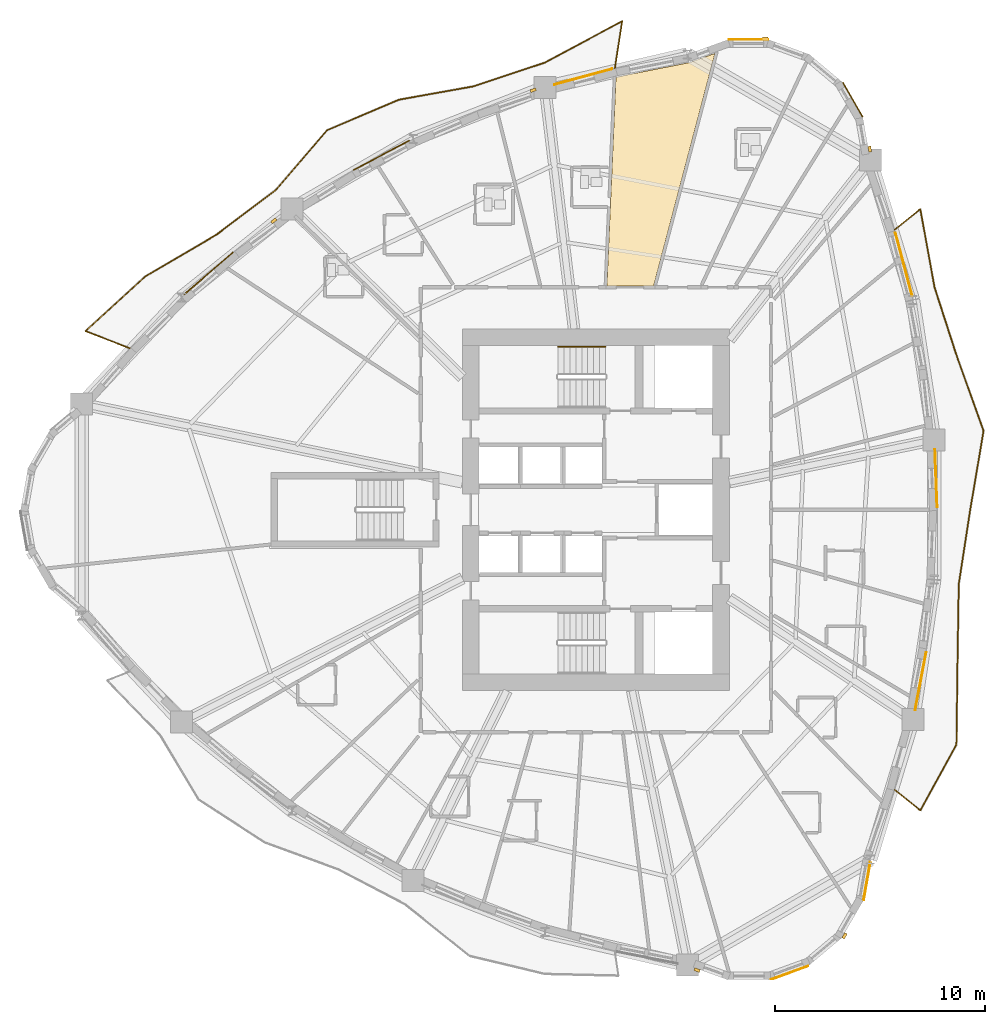
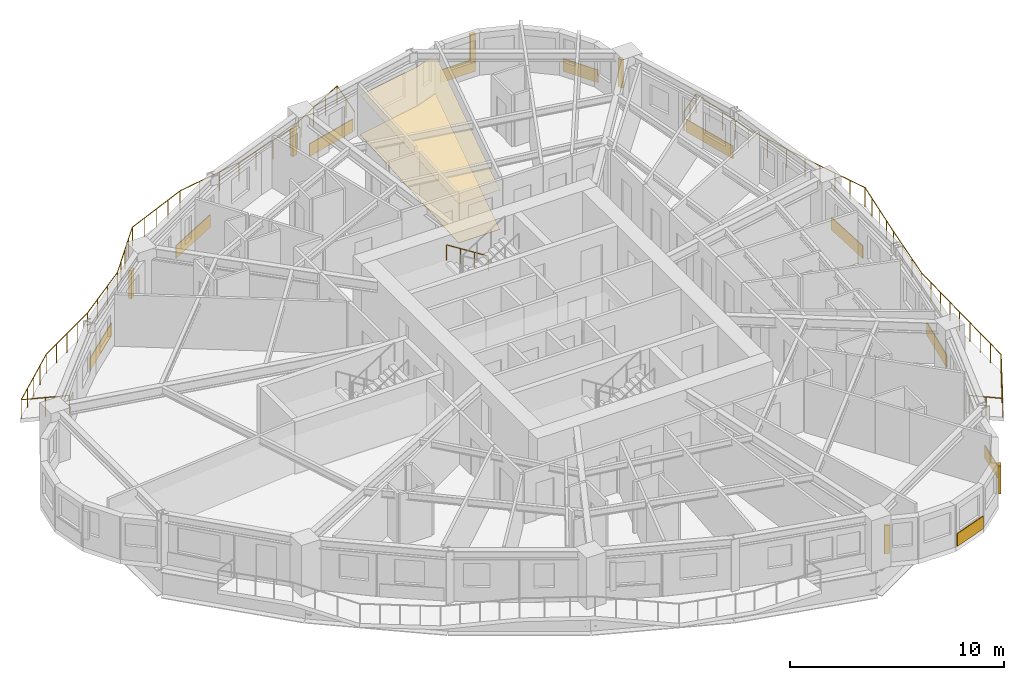
# One storey, part 13 of 14: 12 coverings, 6 shading devices, 3 railings.
"""IFC4 building model written with IfcOpenShell, lengths in metres."""

from ifc_helpers import new_model, si_unit, direction, frame, origin, origin_2d, place, context, subcontext, project, spatial, polyline, rectangle, circle, outline, extrude, source, transform, mapped, material, layer, layer_set, type_object, element, save


model = new_model("IFC4")

# Units and contexts
model_context = context("Model", 3, precision=1e-05, world=origin(), true_north=direction((0.0, 1.0)))
body_context = subcontext(model_context, "Body", "Model", "MODEL_VIEW")
ifc_project = project(units=[si_unit("LENGTHUNIT", "METRE"), si_unit("AREAUNIT", "SQUARE_METRE"), si_unit("VOLUMEUNIT", "CUBIC_METRE"), si_unit("PLANEANGLEUNIT", "RADIAN"), si_unit("MASSUNIT", "GRAM", prefix="KILO")], contexts=[model_context])

# Site, building, storey
site_placement = place(None, origin())
site = spatial("IfcSite", under=ifc_project, at=site_placement, CompositionType="ELEMENT")
building_placement = place(site_placement, origin())
building = spatial("IfcBuilding", under=site, at=building_placement, Name="Qafzar Sky-Pleat Residences", CompositionType="ELEMENT")
storey_placement = place(building_placement, frame((0.0, 0.0, 7.800048828125)))
storey = spatial("IfcBuildingStorey", under=building, at=storey_placement, Name="L01", CompositionType="ELEMENT", Elevation=7.800048828125)

# Coverings
ifc_material_1 = material(Name="Perforated acoustic gypsum board ceiling")
ifc_layer_1 = layer(ifc_material_1, 0.02001953125)
ifc_layer_set_1 = layer_set([ifc_layer_1], Name="Perforated acoustic gypsum board ceiling")
covering_type_1 = type_object("IfcCoveringType", Name="COV-CEIL-ACOUSTIC", PredefinedType="CEILING", material=ifc_layer_set_1)
covering_1_placement = place(storey_placement, frame((0.0, 0.0, 2.239990234375)))
element("IfcCovering", 1, at=covering_1_placement, inside=storey, type_object=covering_type_1, Name="L01 Communal Kitchen Acoustic Ceiling", PredefinedType="CEILING", context=body_context, shape_type="SweptSolid", body=[
    extrude(outline(polyline([(34.8076171875, 47.26416015625), (36.013427734375, 47.702880859375), (33.094970703125, 36.639892578125), (30.873291015625, 36.639892578125), (31.305419921875, 46.572998046875), (31.342041015625, 46.5830078125), (34.8076171875, 47.26416015625)])), origin(), (0.0, 0.0, 1.0), 0.02001953125),
])
ifc_material_2 = material(Name="Honed porcelain and Riyadh stone tile flooring", Category="masonry")
ifc_layer_2 = layer(ifc_material_2, 0.02001953125)
ifc_layer_set_2 = layer_set([ifc_layer_2], Name="Honed porcelain and Riyadh stone tile flooring")
covering_type_2 = type_object("IfcCoveringType", Name="COV-FLR-PORCELAIN", PredefinedType="FLOORING", material=ifc_layer_set_2)
covering_2_placement = place(storey_placement, origin())
element("IfcCovering", 2, at=covering_2_placement, inside=storey, type_object=covering_type_2, Name="L01 Communal Kitchen Honed Stone Flooring", PredefinedType="FLOORING", context=body_context, shape_type="SweptSolid", body=[
    extrude(outline(polyline([(34.8076171875, 47.26416015625), (36.013427734375, 47.702880859375), (33.094970703125, 36.639892578125), (30.873291015625, 36.639892578125), (31.305419921875, 46.572998046875), (31.342041015625, 46.5830078125), (34.8076171875, 47.26416015625)])), origin(), (0.0, 0.0, 1.0), 0.02001953125),
])

# Railings
ifc_material_3 = material(Name="Laminated glass and bronze steel balustrade", Category="steel")
railing_type_1 = type_object("IfcRailingType", Name="RAIL-BAL-1100", PredefinedType="BALUSTRADE", material=ifc_material_3)
shared_shape_1 = source(origin(), body_context, "Body", "SweptSolid", [
    extrude(circle(Radius=0.02392578125, at=origin_2d()), frame((0.0, 0.0, 1.076171875), z_axis=(0.779190452063, -0.626787236161, 0.0), x_axis=(0.626787236161, 0.779190452063, 0.0)), (0.0, 0.0, 1.0), 1.577880859375),
    extrude(circle(Radius=0.02392578125, at=origin_2d()), frame((1.2294921875, -0.989013671875, 1.076171875), z_axis=(0.481003643786, 0.876718594912, 0.0), x_axis=(-0.876718594912, 0.481003643786, 0.0)), (0.0, 0.0, 1.0), 3.5751953125),
    extrude(circle(Radius=0.02392578125, at=origin_2d()), frame((2.94921875, 2.1455078125, 1.076171875), z_axis=(0.012626033824, 0.999920288458, 0.0), x_axis=(-0.999920288458, 0.012626033824, 0.0)), (0.0, 0.0, 1.0), 3.9638671875),
    extrude(circle(Radius=0.02392578125, at=origin_2d()), frame((2.999267578125, 6.109130859375, 1.076171875), z_axis=(0.015856215298, 0.999874282316, 0.0), x_axis=(-0.999874282316, 0.015856215298, 0.0)), (0.0, 0.0, 1.0), 3.66455078125),
    extrude(circle(Radius=0.02392578125, at=origin_2d()), frame((3.057373046875, 9.773193359375, 1.076171875), z_axis=(0.152416048912, 0.988316421008, 0.0), x_axis=(-0.988316421008, 0.152416048912, 0.0)), (0.0, 0.0, 1.0), 3.578369140625),
    extrude(circle(Radius=0.02392578125, at=origin_2d()), frame((3.602783203125, 13.309814453125, 1.076171875), z_axis=(0.167094480842, 0.98594088792, 0.0), x_axis=(-0.98594088792, 0.167094480842, 0.0)), (0.0, 0.0, 1.0), 3.80322265625),
    extrude(circle(Radius=0.02392578125, at=origin_2d()), frame((4.23828125, 17.0595703125, 1.076171875), z_axis=(-0.33791768738, 0.941175667214, 0.0), x_axis=(-0.941175667214, -0.33791768738, 0.0)), (0.0, 0.0, 1.0), 3.66650390625),
    extrude(circle(Radius=0.02392578125, at=origin_2d()), frame((2.999267578125, 20.510498046875, 1.076171875), z_axis=(-0.308292175959, 0.951291718792, 0.0), x_axis=(-0.951291718792, -0.308292175959, 0.0)), (0.0, 0.0, 1.0), 3.539794921875),
    extrude(circle(Radius=0.02392578125, at=origin_2d()), frame((1.907958984375, 23.8779296875, 1.076171875), z_axis=(-0.178925099034, 0.983862698213, 0.0), x_axis=(-0.983862698213, -0.178925099034, 0.0)), (0.0, 0.0, 1.0), 3.7919921875),
    extrude(circle(Radius=0.02392578125, at=origin_2d()), frame((1.2294921875, 27.608642578125, 1.076171875), z_axis=(-0.779190452063, -0.626787236161, 0.0), x_axis=(0.626787236161, -0.779190452063, 0.0)), (0.0, 0.0, 1.0), 1.577880859375),
    extrude(circle(Radius=0.02099609375, at=origin_2d()), origin(), (0.0, 0.0, 1.0), 1.052001953125),
    extrude(circle(Radius=0.02099609375, at=origin_2d()), frame((0.61474609375, -0.49462890625, 0.0)), (0.0, 0.0, 1.0), 1.052001953125),
    extrude(circle(Radius=0.02099609375, at=origin_2d()), frame((1.2294921875, -0.989013671875, 0.0)), (0.0, 0.0, 1.0), 1.052001953125),
    extrude(circle(Radius=0.02099609375, at=origin_2d()), frame((1.802734375, 0.055908203125, 0.0)), (0.0, 0.0, 1.0), 1.052001953125),
    extrude(circle(Radius=0.02099609375, at=origin_2d()), frame((2.3759765625, 1.1005859375, 0.0)), (0.0, 0.0, 1.0), 1.052001953125),
    extrude(circle(Radius=0.02099609375, at=origin_2d()), frame((2.94921875, 2.1455078125, 0.0)), (0.0, 0.0, 1.0), 1.052001953125),
    extrude(circle(Radius=0.02099609375, at=origin_2d()), frame((2.961669921875, 3.136474609375, 0.0)), (0.0, 0.0, 1.0), 1.052001953125),
    extrude(circle(Radius=0.02099609375, at=origin_2d()), frame((2.97412109375, 4.12744140625, 0.0)), (0.0, 0.0, 1.0), 1.052001953125),
    extrude(circle(Radius=0.02099609375, at=origin_2d()), frame((2.98681640625, 5.1181640625, 0.0)), (0.0, 0.0, 1.0), 1.052001953125),
    extrude(circle(Radius=0.02099609375, at=origin_2d()), frame((2.999267578125, 6.109130859375, 0.0)), (0.0, 0.0, 1.0), 1.052001953125),
    extrude(circle(Radius=0.02099609375, at=origin_2d()), frame((3.013671875, 7.025146484375, 0.0)), (0.0, 0.0, 1.0), 1.052001953125),
    extrude(circle(Radius=0.02099609375, at=origin_2d()), frame((3.0283203125, 7.941162109375, 0.0)), (0.0, 0.0, 1.0), 1.052001953125),
    extrude(circle(Radius=0.02099609375, at=origin_2d()), frame((3.04296875, 8.857177734375, 0.0)), (0.0, 0.0, 1.0), 1.052001953125),
    extrude(circle(Radius=0.02099609375, at=origin_2d()), frame((3.057373046875, 9.773193359375, 0.0)), (0.0, 0.0, 1.0), 1.052001953125),
    extrude(circle(Radius=0.02099609375, at=origin_2d()), frame((3.2392578125, 10.9521484375, 0.0)), (0.0, 0.0, 1.0), 1.052001953125),
    extrude(circle(Radius=0.02099609375, at=origin_2d()), frame((3.4208984375, 12.130859375, 0.0)), (0.0, 0.0, 1.0), 1.052001953125),
    extrude(circle(Radius=0.02099609375, at=origin_2d()), frame((3.602783203125, 13.309814453125, 0.0)), (0.0, 0.0, 1.0), 1.052001953125),
    extrude(circle(Radius=0.02099609375, at=origin_2d()), frame((3.76171875, 14.247314453125, 0.0)), (0.0, 0.0, 1.0), 1.052001953125),
    extrude(circle(Radius=0.02099609375, at=origin_2d()), frame((3.92041015625, 15.1845703125, 0.0)), (0.0, 0.0, 1.0), 1.052001953125),
    extrude(circle(Radius=0.02099609375, at=origin_2d()), frame((4.079345703125, 16.1220703125, 0.0)), (0.0, 0.0, 1.0), 1.052001953125),
    extrude(circle(Radius=0.02099609375, at=origin_2d()), frame((4.23828125, 17.0595703125, 0.0)), (0.0, 0.0, 1.0), 1.052001953125),
    extrude(circle(Radius=0.02099609375, at=origin_2d()), frame((3.928466796875, 17.92236328125, 0.0)), (0.0, 0.0, 1.0), 1.052001953125),
    extrude(circle(Radius=0.02099609375, at=origin_2d()), frame((3.61865234375, 18.78515625, 0.0)), (0.0, 0.0, 1.0), 1.052001953125),
    extrude(circle(Radius=0.02099609375, at=origin_2d()), frame((3.30908203125, 19.647705078125, 0.0)), (0.0, 0.0, 1.0), 1.052001953125),
    extrude(circle(Radius=0.02099609375, at=origin_2d()), frame((2.999267578125, 20.510498046875, 0.0)), (0.0, 0.0, 1.0), 1.052001953125),
    extrude(circle(Radius=0.02099609375, at=origin_2d()), frame((2.635498046875, 21.633056640625, 0.0)), (0.0, 0.0, 1.0), 1.052001953125),
    extrude(circle(Radius=0.02099609375, at=origin_2d()), frame((2.271728515625, 22.75537109375, 0.0)), (0.0, 0.0, 1.0), 1.052001953125),
    extrude(circle(Radius=0.02099609375, at=origin_2d()), frame((1.907958984375, 23.8779296875, 0.0)), (0.0, 0.0, 1.0), 1.052001953125),
    extrude(circle(Radius=0.02099609375, at=origin_2d()), frame((1.73828125, 24.810546875, 0.0)), (0.0, 0.0, 1.0), 1.052001953125),
    extrude(circle(Radius=0.02099609375, at=origin_2d()), frame((1.56884765625, 25.7431640625, 0.0)), (0.0, 0.0, 1.0), 1.052001953125),
    extrude(circle(Radius=0.02099609375, at=origin_2d()), frame((1.399169921875, 26.676025390625, 0.0)), (0.0, 0.0, 1.0), 1.052001953125),
    extrude(circle(Radius=0.02099609375, at=origin_2d()), frame((1.2294921875, 27.608642578125, 0.0)), (0.0, 0.0, 1.0), 1.052001953125),
    extrude(circle(Radius=0.02099609375, at=origin_2d()), frame((0.61474609375, 27.1142578125, 0.0)), (0.0, 0.0, 1.0), 1.052001953125),
    extrude(circle(Radius=0.02099609375, at=origin_2d()), frame((0.0, 26.61962890625, 0.0)), (0.0, 0.0, 1.0), 1.052001953125),
])
railing_1_placement = place(storey_placement, frame((44.546630859375, 12.690185546875, 0.0)))
element("IfcRailing", 3, at=railing_1_placement, inside=storey, type_object=railing_type_1, Name="L01 Pleated Balcony 1 Balustrade", PredefinedType="BALUSTRADE", context=body_context, shape_type="MappedRepresentation", body=[
    mapped(shared_shape_1, transform((0.0, 0.0, 0.0), x_axis=(1.0, 0.0, 0.0), y_axis=(0.0, 1.0, 0.0), z_axis=(0.0, 0.0, 1.0), scale=1.0)),
])
shared_shape_2 = source(origin(), body_context, "Body", "SweptSolid", [
    extrude(circle(Radius=0.02392578125, at=origin_2d()), frame((0.0, 0.0, 1.076171875), z_axis=(0.153196150484, 0.988195800172, 0.0), x_axis=(-0.988195800172, 0.153196150484, 0.0)), (0.0, 0.0, 1.0), 2.27099609375),
    extrude(circle(Radius=0.02392578125, at=origin_2d()), frame((0.347900390625, 2.244140625, 1.076171875), z_axis=(-0.882156638749, -0.470956117606, 0.0), x_axis=(0.470956117606, -0.882156638749, 0.0)), (0.0, 0.0, 1.0), 4.16748046875),
    extrude(circle(Radius=0.02392578125, at=origin_2d()), frame((-3.328369140625, 0.281494140625, 1.076171875), z_axis=(-0.948553569245, -0.316616686662, 0.0), x_axis=(0.316616686662, -0.948553569245, 0.0)), (0.0, 0.0, 1.0), 3.577880859375),
    extrude(circle(Radius=0.02392578125, at=origin_2d()), frame((-6.72216796875, -0.851318359375, 1.076171875), z_axis=(-0.984317474908, -0.176406090007, 0.0), x_axis=(0.176406090007, -0.984317474908, 0.0)), (0.0, 0.0, 1.0), 3.596923828125),
    extrude(circle(Radius=0.02392578125, at=origin_2d()), frame((-10.2626953125, -1.48583984375, 1.076171875), z_axis=(-0.920414482736, -0.39094396014, 0.0), x_axis=(0.39094396014, -0.920414482736, 0.0)), (0.0, 0.0, 1.0), 3.706298828125),
    extrude(circle(Radius=0.02392578125, at=origin_2d()), frame((-13.674072265625, -2.934814453125, 1.076171875), z_axis=(-0.652222762025, -0.758027353528, 0.0), x_axis=(0.758027353528, -0.652222762025, 0.0)), (0.0, 0.0, 1.0), 3.747314453125),
    extrude(circle(Radius=0.02392578125, at=origin_2d()), frame((-16.1181640625, -5.775390625, 1.076171875), z_axis=(-0.798496449642, -0.601999518197, 0.0), x_axis=(0.601999518197, -0.798496449642, 0.0)), (0.0, 0.0, 1.0), 3.55224609375),
    extrude(circle(Radius=0.02392578125, at=origin_2d()), frame((-18.95458984375, -7.913818359375, 1.076171875), z_axis=(-0.863249831137, -0.504776910171, 0.0), x_axis=(0.504776910171, -0.863249831137, 0.0)), (0.0, 0.0, 1.0), 3.903076171875),
    extrude(circle(Radius=0.02392578125, at=origin_2d()), frame((-22.323974609375, -9.884033203125, 1.076171875), z_axis=(-0.737734335543, -0.675091142114, 0.0), x_axis=(0.675091142114, -0.737734335543, 0.0)), (0.0, 0.0, 1.0), 3.8583984375),
    extrude(circle(Radius=0.02392578125, at=origin_2d()), frame((-25.17041015625, -12.48876953125, 1.076171875), z_axis=(0.932397541729, -0.361434398166, 0.0), x_axis=(0.361434398166, 0.932397541729, 0.0)), (0.0, 0.0, 1.0), 2.27099609375),
    extrude(circle(Radius=0.02099609375, at=origin_2d()), origin(), (0.0, 0.0, 1.0), 1.052001953125),
    extrude(circle(Radius=0.02099609375, at=origin_2d()), frame((0.173828125, 1.1220703125, 0.0)), (0.0, 0.0, 1.0), 1.052001953125),
    extrude(circle(Radius=0.02099609375, at=origin_2d()), frame((0.347900390625, 2.244140625, 0.0)), (0.0, 0.0, 1.0), 1.052001953125),
    extrude(circle(Radius=0.02099609375, at=origin_2d()), frame((-0.5712890625, 1.75341796875, 0.0)), (0.0, 0.0, 1.0), 1.052001953125),
    extrude(circle(Radius=0.02099609375, at=origin_2d()), frame((-1.490234375, 1.2626953125, 0.0)), (0.0, 0.0, 1.0), 1.052001953125),
    extrude(circle(Radius=0.02099609375, at=origin_2d()), frame((-2.4091796875, 0.772216796875, 0.0)), (0.0, 0.0, 1.0), 1.052001953125),
    extrude(circle(Radius=0.02099609375, at=origin_2d()), frame((-3.328369140625, 0.281494140625, 0.0)), (0.0, 0.0, 1.0), 1.052001953125),
    extrude(circle(Radius=0.02099609375, at=origin_2d()), frame((-4.459716796875, -0.09619140625, 0.0)), (0.0, 0.0, 1.0), 1.052001953125),
    extrude(circle(Radius=0.02099609375, at=origin_2d()), frame((-5.5908203125, -0.4736328125, 0.0)), (0.0, 0.0, 1.0), 1.052001953125),
    extrude(circle(Radius=0.02099609375, at=origin_2d()), frame((-6.72216796875, -0.851318359375, 0.0)), (0.0, 0.0, 1.0), 1.052001953125),
    extrude(circle(Radius=0.02099609375, at=origin_2d()), frame((-7.90234375, -1.062744140625, 0.0)), (0.0, 0.0, 1.0), 1.052001953125),
    extrude(circle(Radius=0.02099609375, at=origin_2d()), frame((-9.08251953125, -1.2744140625, 0.0)), (0.0, 0.0, 1.0), 1.052001953125),
    extrude(circle(Radius=0.02099609375, at=origin_2d()), frame((-10.2626953125, -1.48583984375, 0.0)), (0.0, 0.0, 1.0), 1.052001953125),
    extrude(circle(Radius=0.02099609375, at=origin_2d()), frame((-11.115478515625, -1.84814453125, 0.0)), (0.0, 0.0, 1.0), 1.052001953125),
    extrude(circle(Radius=0.02099609375, at=origin_2d()), frame((-11.96826171875, -2.21044921875, 0.0)), (0.0, 0.0, 1.0), 1.052001953125),
    extrude(circle(Radius=0.02099609375, at=origin_2d()), frame((-12.8212890625, -2.572509765625, 0.0)), (0.0, 0.0, 1.0), 1.052001953125),
    extrude(circle(Radius=0.02099609375, at=origin_2d()), frame((-13.674072265625, -2.934814453125, 0.0)), (0.0, 0.0, 1.0), 1.052001953125),
    extrude(circle(Radius=0.02099609375, at=origin_2d()), frame((-14.28515625, -3.64501953125, 0.0)), (0.0, 0.0, 1.0), 1.052001953125),
    extrude(circle(Radius=0.02099609375, at=origin_2d()), frame((-14.89599609375, -4.35498046875, 0.0)), (0.0, 0.0, 1.0), 1.052001953125),
    extrude(circle(Radius=0.02099609375, at=origin_2d()), frame((-15.507080078125, -5.065185546875, 0.0)), (0.0, 0.0, 1.0), 1.052001953125),
    extrude(circle(Radius=0.02099609375, at=origin_2d()), frame((-16.1181640625, -5.775390625, 0.0)), (0.0, 0.0, 1.0), 1.052001953125),
    extrude(circle(Radius=0.02099609375, at=origin_2d()), frame((-17.063720703125, -6.48828125, 0.0)), (0.0, 0.0, 1.0), 1.052001953125),
    extrude(circle(Radius=0.02099609375, at=origin_2d()), frame((-18.009033203125, -7.200927734375, 0.0)), (0.0, 0.0, 1.0), 1.052001953125),
    extrude(circle(Radius=0.02099609375, at=origin_2d()), frame((-18.95458984375, -7.913818359375, 0.0)), (0.0, 0.0, 1.0), 1.052001953125),
    extrude(circle(Radius=0.02099609375, at=origin_2d()), frame((-19.796875, -8.40625, 0.0)), (0.0, 0.0, 1.0), 1.052001953125),
    extrude(circle(Radius=0.02099609375, at=origin_2d()), frame((-20.63916015625, -8.89892578125, 0.0)), (0.0, 0.0, 1.0), 1.052001953125),
    extrude(circle(Radius=0.02099609375, at=origin_2d()), frame((-21.481689453125, -9.3916015625, 0.0)), (0.0, 0.0, 1.0), 1.052001953125),
    extrude(circle(Radius=0.02099609375, at=origin_2d()), frame((-22.323974609375, -9.884033203125, 0.0)), (0.0, 0.0, 1.0), 1.052001953125),
    extrude(circle(Radius=0.02099609375, at=origin_2d()), frame((-23.03564453125, -10.53515625, 0.0)), (0.0, 0.0, 1.0), 1.052001953125),
    extrude(circle(Radius=0.02099609375, at=origin_2d()), frame((-23.7470703125, -11.1865234375, 0.0)), (0.0, 0.0, 1.0), 1.052001953125),
    extrude(circle(Radius=0.02099609375, at=origin_2d()), frame((-24.458740234375, -11.837646484375, 0.0)), (0.0, 0.0, 1.0), 1.052001953125),
    extrude(circle(Radius=0.02099609375, at=origin_2d()), frame((-25.17041015625, -12.48876953125, 0.0)), (0.0, 0.0, 1.0), 1.052001953125),
    extrude(circle(Radius=0.02099609375, at=origin_2d()), frame((-24.11181640625, -12.899169921875, 0.0)), (0.0, 0.0, 1.0), 1.052001953125),
    extrude(circle(Radius=0.02099609375, at=origin_2d()), frame((-23.052978515625, -13.3095703125, 0.0)), (0.0, 0.0, 1.0), 1.052001953125),
])
railing_2_placement = place(storey_placement, frame((31.253173828125, 46.984619140625, 0.0)))
element("IfcRailing", 4, at=railing_2_placement, inside=storey, type_object=railing_type_1, Name="L01 Pleated Balcony 2 Balustrade", PredefinedType="BALUSTRADE", context=body_context, shape_type="MappedRepresentation", body=[
    mapped(shared_shape_2, transform((0.0, 0.0, 0.0), x_axis=(1.0, 0.0, 0.0), y_axis=(0.0, 1.0, 0.0), z_axis=(0.0, 0.0, 1.0), scale=1.0)),
])

# Shading devices
ifc_material_4 = material(Name="Honed Riyadh limestone solar fin", Category="masonry")
ifc_layer_3 = layer(ifc_material_4, 0.139892578125)
ifc_layer_set_3 = layer_set([ifc_layer_3], Name="Honed Riyadh limestone solar fin")
shading_device_type = type_object("IfcShadingDeviceType", Name="SHD-FIN-STONE", PredefinedType="SHUTTER", material=ifc_layer_set_3)
shared_shape_3 = source(origin(), body_context, "Body", "SweptSolid", [
    extrude(rectangle(XDim=0.139892578125, YDim=0.280029296875, at=origin_2d()), origin(), (0.0, 0.0, 1.0), 1.60009765625),
])
for number, where, z_axis, x_axis, name in (
    (5, (35.162841796875, 4.11181640625, 0.599853515625), (0.0, 0.0, 1.0), (-0.342053959704, -0.939680311942, 0.0), "L01 Limestone Solar Fin 17"),
    (6, (42.17431640625, 5.7412109375, 0.599853515625), (0.0, 0.0, 1.0), (0.86604422228, -0.499967403994, 0.0), "L01 Limestone Solar Fin 21"),
    (7, (43.37451171875, 43.1474609375, 0.599853515625), (0.0, 0.0, 1.0), (0.984806040716, 0.173657888303, 0.0), "L01 Limestone Solar Fin 33"),
    (8, (38.405029296875, 48.404541015625, 0.599853515625), (0.0, 0.0, 1.0), (0.0, 1.0, 0.0), "L01 Limestone Solar Fin 37"),
    (9, (27.371826171875, 45.950439453125, 0.599853515625), (0.0, 0.0, 1.0), (-0.329543649686, 0.944140340708, 0.0), "L01 Limestone Solar Fin 41"),
    (10, (15.034912109375, 39.738525390625, 0.599853515625), (0.0, 0.0, 1.0), (-0.594868101573, 0.803823327436, 0.0), "L01 Limestone Solar Fin 45"),
):
    element("IfcShadingDevice", number, at=place(storey_placement, frame(where, z_axis=z_axis, x_axis=x_axis)), inside=storey, type_object=shading_device_type, Name=name, PredefinedType="SHUTTER", context=body_context, shape_type="MappedRepresentation", body=[
        mapped(shared_shape_3, transform((0.0, 0.0, 0.0), x_axis=(1.0, 0.0, 0.0), y_axis=(0.0, 1.0, 0.0), z_axis=(0.0, 0.0, 1.0), scale=1.0)),
    ])

# Coverings
ifc_material_5 = material(Name="Honed Riyadh Tuwaiq limestone cladding", Category="masonry")
ifc_layer_4 = layer(ifc_material_5, 0.044921875)
ifc_layer_set_4 = layer_set([ifc_layer_4], Name="Honed Riyadh Tuwaiq limestone cladding")
covering_type_3 = type_object("IfcCoveringType", Name="COV-CLAD-STONE", PredefinedType="CLADDING", material=ifc_layer_set_4)
shared_shape_4 = source(origin(), body_context, "Body", "SweptSolid", [
    extrude(rectangle(XDim=1.88134765625, YDim=0.044921875, at=origin_2d()), origin(), (0.0, 0.0, 1.0), 0.719970703125),
])
for number, where, z_axis, x_axis, name in (
    (11, (39.56103515625, 3.984130859375, 0.02001953125), (0.0, 0.0, 1.0), (0.939678833387, 0.342058021518, 0.0), "L01 Riyadh Limestone Spandrel Cladding 19"),
    (12, (42.565673828125, 45.49462890625, 0.02001953125), (0.0, 0.0, 1.0), (-0.499972303345, 0.866041393865, 0.0), "L01 Riyadh Limestone Spandrel Cladding 34"),
    (13, (37.60009765625, 48.361572265625, 0.02001953125), (0.0, 0.0, 1.0), (-1.0, 0.0, 0.0), "L01 Riyadh Limestone Spandrel Cladding 37"),
):
    element("IfcCovering", number, at=place(storey_placement, frame(where, z_axis=z_axis, x_axis=x_axis)), inside=storey, type_object=covering_type_3, Name=name, PredefinedType="CLADDING", context=body_context, shape_type="MappedRepresentation", body=[
        mapped(shared_shape_4, transform((0.0, 0.0, 0.0), x_axis=(1.0, 0.0, 0.0), y_axis=(0.0, 1.0, 0.0), z_axis=(0.0, 0.0, 1.0), scale=1.0)),
    ])
shared_shape_5 = source(origin(), body_context, "Body", "SweptSolid", [
    extrude(rectangle(XDim=1.8291015625, YDim=0.044921875, at=origin_2d()), origin(), (0.0, 0.0, 1.0), 0.719970703125),
])
covering_3_placement = place(storey_placement, frame((43.24169921875, 8.34814453125, 0.02001953125), z_axis=(0.0, 0.0, 1.0), x_axis=(0.17364778674, 0.984807821943, 0.0)))
element("IfcCovering", 14, at=covering_3_placement, inside=storey, type_object=covering_type_3, Name="L01 Riyadh Limestone Spandrel Cladding 22", PredefinedType="CLADDING", context=body_context, shape_type="MappedRepresentation", body=[
    mapped(shared_shape_5, transform((0.0, 0.0, 0.0), x_axis=(1.0, 0.0, 0.0), y_axis=(0.0, 1.0, 0.0), z_axis=(0.0, 0.0, 1.0), scale=1.0)),
])
shared_shape_6 = source(origin(), body_context, "Body", "SweptSolid", [
    extrude(rectangle(XDim=2.810791015625, YDim=0.044921875, at=origin_2d()), origin(), (0.0, 0.0, 1.0), 0.719970703125),
])
covering_4_placement = place(storey_placement, frame((45.791015625, 17.84814453125, 0.02001953125), z_axis=(0.0, 0.0, 1.0), x_axis=(0.186679497736, 0.982420869651, 0.0)))
element("IfcCovering", 15, at=covering_4_placement, inside=storey, type_object=covering_type_3, Name="L01 Riyadh Limestone Spandrel Cladding 25", PredefinedType="CLADDING", context=body_context, shape_type="MappedRepresentation", body=[
    mapped(shared_shape_6, transform((0.0, 0.0, 0.0), x_axis=(1.0, 0.0, 0.0), y_axis=(0.0, 1.0, 0.0), z_axis=(0.0, 0.0, 1.0), scale=1.0)),
])
shared_shape_7 = source(origin(), body_context, "Body", "SweptSolid", [
    extrude(rectangle(XDim=2.75927734375, YDim=0.044921875, at=origin_2d()), origin(), (0.0, 0.0, 1.0), 0.719970703125),
])
covering_5_placement = place(storey_placement, frame((46.5244140625, 27.49462890625, 0.02001953125), z_axis=(0.0, 0.0, 1.0), x_axis=(-0.037998453983, 0.99927779796, 0.0)))
element("IfcCovering", 16, at=covering_5_placement, inside=storey, type_object=covering_type_3, Name="L01 Riyadh Limestone Spandrel Cladding 28", PredefinedType="CLADDING", context=body_context, shape_type="MappedRepresentation", body=[
    mapped(shared_shape_7, transform((0.0, 0.0, 0.0), x_axis=(1.0, 0.0, 0.0), y_axis=(0.0, 1.0, 0.0), z_axis=(0.0, 0.0, 1.0), scale=1.0)),
])
shared_shape_8 = source(origin(), body_context, "Body", "SweptSolid", [
    extrude(rectangle(XDim=3.11328125, YDim=0.044921875, at=origin_2d()), origin(), (0.0, 0.0, 1.0), 0.719970703125),
])
covering_6_placement = place(storey_placement, frame((44.993408203125, 37.673095703125, 0.02001953125), z_axis=(0.0, 0.0, 1.0), x_axis=(-0.257050850692, 0.966397878805, 0.0)))
element("IfcCovering", 17, at=covering_6_placement, inside=storey, type_object=covering_type_3, Name="L01 Riyadh Limestone Spandrel Cladding 31", PredefinedType="CLADDING", context=body_context, shape_type="MappedRepresentation", body=[
    mapped(shared_shape_8, transform((0.0, 0.0, 0.0), x_axis=(1.0, 0.0, 0.0), y_axis=(0.0, 1.0, 0.0), z_axis=(0.0, 0.0, 1.0), scale=1.0)),
])
shared_shape_9 = source(origin(), body_context, "Body", "SweptSolid", [
    extrude(rectangle(XDim=2.861328125, YDim=0.044921875, at=origin_2d()), origin(), (0.0, 0.0, 1.0), 0.719970703125),
])
covering_7_placement = place(storey_placement, frame((29.74755859375, 46.589599609375, 0.02001953125), z_axis=(0.0, 0.0, 1.0), x_axis=(-0.965455832178, -0.26056675942, 0.0)))
element("IfcCovering", 18, at=covering_7_placement, inside=storey, type_object=covering_type_3, Name="L01 Riyadh Limestone Spandrel Cladding 40", PredefinedType="CLADDING", context=body_context, shape_type="MappedRepresentation", body=[
    mapped(shared_shape_9, transform((0.0, 0.0, 0.0), x_axis=(1.0, 0.0, 0.0), y_axis=(0.0, 1.0, 0.0), z_axis=(0.0, 0.0, 1.0), scale=1.0)),
])
shared_shape_10 = source(origin(), body_context, "Body", "SweptSolid", [
    extrude(rectangle(XDim=3.01123046875, YDim=0.044921875, at=origin_2d()), origin(), (0.0, 0.0, 1.0), 0.719970703125),
])
covering_8_placement = place(storey_placement, frame((20.156005859375, 42.85546875, 0.02001953125), z_axis=(0.0, 0.0, 1.0), x_axis=(-0.884390578699, -0.466747580935, 0.0)))
element("IfcCovering", 19, at=covering_8_placement, inside=storey, type_object=covering_type_3, Name="L01 Riyadh Limestone Spandrel Cladding 43", PredefinedType="CLADDING", context=body_context, shape_type="MappedRepresentation", body=[
    mapped(shared_shape_10, transform((0.0, 0.0, 0.0), x_axis=(1.0, 0.0, 0.0), y_axis=(0.0, 1.0, 0.0), z_axis=(0.0, 0.0, 1.0), scale=1.0)),
])
shared_shape_11 = source(origin(), body_context, "Body", "SweptSolid", [
    extrude(rectangle(XDim=3.062744140625, YDim=0.044921875, at=origin_2d()), origin(), (0.0, 0.0, 1.0), 0.719970703125),
])
covering_9_placement = place(storey_placement, frame((11.938720703125, 37.239990234375, 0.02001953125), z_axis=(0.0, 0.0, 1.0), x_axis=(-0.757461573707, -0.65287974724, 0.0)))
element("IfcCovering", 20, at=covering_9_placement, inside=storey, type_object=covering_type_3, Name="L01 Riyadh Limestone Spandrel Cladding 46", PredefinedType="CLADDING", context=body_context, shape_type="MappedRepresentation", body=[
    mapped(shared_shape_11, transform((0.0, 0.0, 0.0), x_axis=(1.0, 0.0, 0.0), y_axis=(0.0, 1.0, 0.0), z_axis=(0.0, 0.0, 1.0), scale=1.0)),
])

# Railing
ifc_material_6 = material(Name="Brushed stainless steel handrail", Category="steel")
railing_type_2 = type_object("IfcRailingType", Name="RAIL-STAIR-HAND", PredefinedType="HANDRAIL", material=ifc_material_6)
shared_shape_12 = source(origin(), body_context, "Body", "SweptSolid", [
    extrude(circle(Radius=0.02392578125, at=origin_2d()), frame((0.0, 0.0, 0.8759765625), z_axis=(-0.8442293374, 0.0, 0.53598211339), x_axis=(0.0, -1.0, 0.0)), (0.0, 0.0, 1.0), 2.6533203125),
    extrude(circle(Radius=0.02099609375, at=origin_2d()), origin(), (0.0, 0.0, 1.0), 0.851806640625),
    extrude(circle(Radius=0.02099609375, at=origin_2d()), frame((-0.74658203125, 0.0, 0.47412109375)), (0.0, 0.0, 1.0), 0.851806640625),
    extrude(circle(Radius=0.02099609375, at=origin_2d()), frame((-1.493408203125, 0.0, 0.947998046875)), (0.0, 0.0, 1.0), 0.851806640625),
    extrude(circle(Radius=0.02099609375, at=origin_2d()), frame((-2.239990234375, 0.0, 1.422119140625)), (0.0, 0.0, 1.0), 0.851806640625),
])
railing_3_placement = place(storey_placement, frame((30.800048828125, 33.75, 0.177734375)))
element("IfcRailing", 21, at=railing_3_placement, inside=storey, type_object=railing_type_2, Name="L01 ST2 stair handrail 1", PredefinedType="HANDRAIL", context=body_context, shape_type="MappedRepresentation", body=[
    mapped(shared_shape_12, transform((0.0, 0.0, 0.0), x_axis=(1.0, 0.0, 0.0), y_axis=(0.0, 1.0, 0.0), z_axis=(0.0, 0.0, 1.0), scale=1.0)),
])

save(model, "model.ifc")
